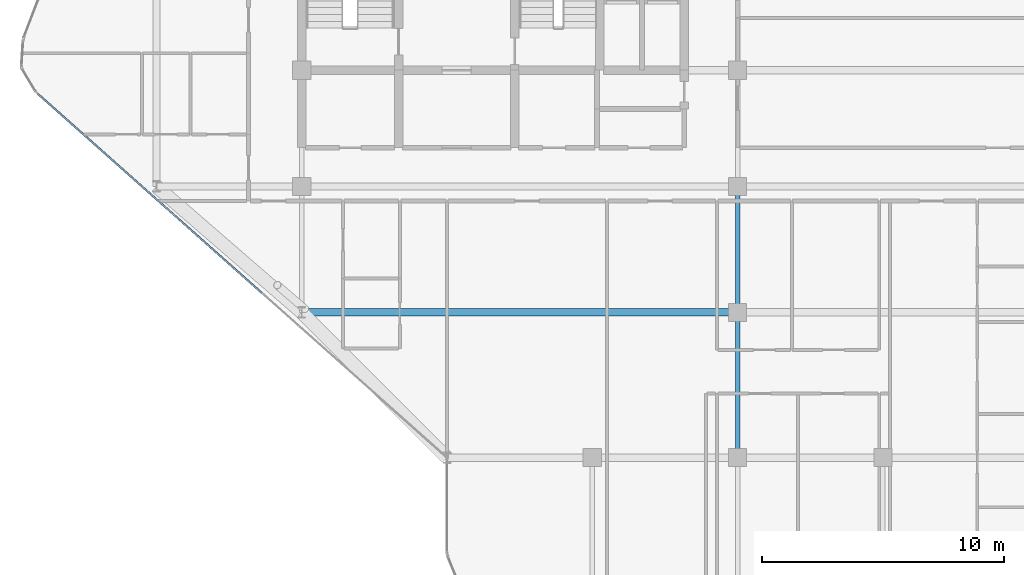
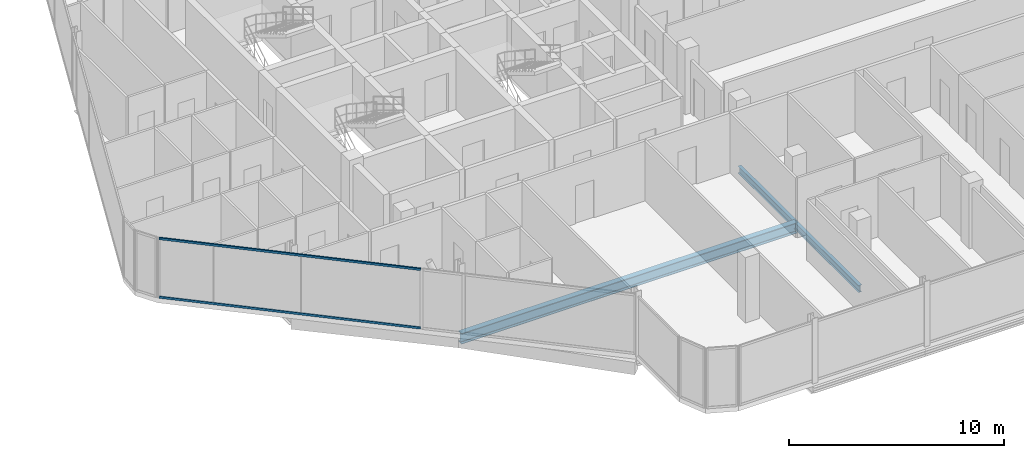
# One storey, part 7 of 29: 3 beams, 2 members, 1 element without a shape of its own.
"""IFC4 building model written with IfcOpenShell, lengths in metres."""

from ifc_helpers import new_model, si_unit, direction, frame, origin, origin_2d, place, context, subcontext, project, spatial, hollow_rectangle, i_section, extrude, material, layer, layer_set, material_profile, profile_set, type_object, element, aggregate, save


model = new_model("IFC4")

# Units and contexts
model_context = context("Model", 3, precision=1e-05, world=origin(), true_north=direction((0.0, 1.0)))
body_context = subcontext(model_context, "Body", "Model", "MODEL_VIEW")
ifc_project = project(units=[si_unit("LENGTHUNIT", "METRE"), si_unit("AREAUNIT", "SQUARE_METRE"), si_unit("VOLUMEUNIT", "CUBIC_METRE"), si_unit("PLANEANGLEUNIT", "RADIAN"), si_unit("MASSUNIT", "GRAM", prefix="KILO")], contexts=[model_context])

# Site, building, storey
site_placement = place(None, origin())
site = spatial("IfcSite", under=ifc_project, at=site_placement, CompositionType="ELEMENT")
building_placement = place(site_placement, origin())
building = spatial("IfcBuilding", under=site, at=building_placement, Name="Keshet Zoharim Tower", CompositionType="ELEMENT")
storey_placement = place(building_placement, frame((0.0, 0.0, 206.89990234375)))
storey = spatial("IfcBuildingStorey", under=building, at=storey_placement, Name="L51", CompositionType="ELEMENT", Elevation=206.89990234375)

# Beams
ifc_material_1 = material(Name="Steel S355", Category="steel")
ifc_material_profile_1 = material_profile(ifc_material_1, i_section(OverallWidth=0.300048828125, OverallDepth=0.60009765625, WebThickness=0.015380859375, FlangeThickness=0.030029296875, FilletRadius=0.027099609375, at=origin_2d()), Name="HEB600")
ifc_profile_set_1 = profile_set([ifc_material_profile_1], Name="Steel S355")
beam_type_1 = type_object("IfcBeamType", Name="BM-LNG-HB600", PredefinedType="BEAM", material=ifc_profile_set_1)
beam_1_placement = place(storey_placement, frame((15.0, 12.699951171875, -0.60986328125), z_axis=(1.0, 0.0, 0.0), x_axis=(0.0, 1.0, 0.0)))
element("IfcBeam", 1, at=beam_1_placement, inside=storey, type_object=beam_type_1, Name="L51 Primary Girder X-009", PredefinedType="BEAM", context=body_context, shape_type="SweptSolid", body=[
    extrude(i_section(OverallWidth=0.300048828125, OverallDepth=0.60009765625, WebThickness=0.015380859375, FlangeThickness=0.030029296875, FilletRadius=0.027099609375, at=origin_2d()), origin(), (0.0, 0.0, 1.0), 18.0),
])
ifc_material_profile_2 = material_profile(ifc_material_1, i_section(OverallWidth=0.179931640625, OverallDepth=0.39990234375, WebThickness=0.008544921875, FlangeThickness=0.013427734375, FilletRadius=0.02099609375, at=origin_2d()), Name="IPE400")
ifc_profile_set_2 = profile_set([ifc_material_profile_2], Name="Steel S355")
beam_type_2 = type_object("IfcBeamType", Name="BM-PRI-IP400", PredefinedType="BEAM", material=ifc_profile_set_2)
beam_2_placement = place(storey_placement, frame((33.0, 6.699951171875, -0.510009765625), z_axis=(0.0, 1.0, 0.0), x_axis=(-1.0, 0.0, 0.0)))
element("IfcBeam", 2, at=beam_2_placement, inside=storey, type_object=beam_type_2, Name="L51 Primary Girder Y-006", PredefinedType="BEAM", context=body_context, shape_type="SweptSolid", body=[
    extrude(i_section(OverallWidth=0.179931640625, OverallDepth=0.39990234375, WebThickness=0.008544921875, FlangeThickness=0.013427734375, FilletRadius=0.02099609375, at=origin_2d()), origin(), (0.0, 0.0, 1.0), 6.0),
])
beam_3_placement = place(storey_placement, frame((33.0, 12.699951171875, -0.510009765625), z_axis=(0.0, 1.0, 0.0), x_axis=(-1.0, 0.0, 0.0)))
element("IfcBeam", 3, at=beam_3_placement, inside=storey, type_object=beam_type_2, Name="L51 Primary Girder Y-007", PredefinedType="BEAM", context=body_context, shape_type="SweptSolid", body=[
    extrude(i_section(OverallWidth=0.179931640625, OverallDepth=0.39990234375, WebThickness=0.008544921875, FlangeThickness=0.013427734375, FilletRadius=0.02099609375, at=origin_2d()), origin(), (0.0, 0.0, 1.0), 5.199951171875),
])

# Curtain wall, members
ifc_material_2 = material(Name="Aluminium 6063-T6", Category="aluminium")
ifc_layer = layer(ifc_material_2, 0.139892578125)
ifc_layer_set = layer_set([ifc_layer], Name="Aluminium 6063-T6")
curtain_wall_type = type_object("IfcCurtainWallType", Name="CW-SYS-05", PredefinedType="NOTDEFINED", material=ifc_layer_set)
curtain_wall_placement = place(storey_placement, origin())
curtain_wall = element("IfcCurtainWall", 4, at=curtain_wall_placement, inside=storey, type_object=curtain_wall_type, Name="L51 Unitised Curtain Wall 10 Part 3", PredefinedType="NOTDEFINED")
ifc_material_profile_3 = material_profile(ifc_material_2, hollow_rectangle(XDim=0.074951171875, YDim=0.1201171875, WallThickness=0.00390625, at=origin_2d()), Name="TRN-75x120")
ifc_profile_set_3 = profile_set([ifc_material_profile_3], Name="Aluminium 6063-T6")
member_type = type_object("IfcMemberType", Name="CWT-T12", PredefinedType="USERDEFINED", material=ifc_profile_set_3)
member_1_placement = place(storey_placement, frame((13.3623046875, 13.489013671875, 0.03515625), z_axis=(-0.747408233231, 0.664365059962, 0.0), x_axis=(-0.664365059962, -0.747408233231, 0.0)))
member_1 = element("IfcMember", 5, at=member_1_placement, type_object=member_type, Name="CW-05 transom 1.1", ObjectType="TRANSOM", PredefinedType="USERDEFINED", context=body_context, shape_type="SweptSolid", body=[
    extrude(hollow_rectangle(XDim=0.074951171875, YDim=0.1201171875, WallThickness=0.00390625, at=origin_2d()), origin(), (0.0, 0.0, 1.0), 12.409423828125),
])
member_2_placement = place(storey_placement, frame((13.3623046875, 13.489013671875, 3.35498046875), z_axis=(-0.747408233231, 0.664365059962, 0.0), x_axis=(-0.664365059962, -0.747408233231, 0.0)))
member_2 = element("IfcMember", 6, at=member_2_placement, type_object=member_type, Name="CW-05 transom 1.2", ObjectType="TRANSOM", PredefinedType="USERDEFINED", context=body_context, shape_type="SweptSolid", body=[
    extrude(hollow_rectangle(XDim=0.074951171875, YDim=0.1201171875, WallThickness=0.00390625, at=origin_2d()), origin(), (0.0, 0.0, 1.0), 12.409423828125),
])
aggregate(curtain_wall, [member_1, member_2])

save(model, "model.ifc")
